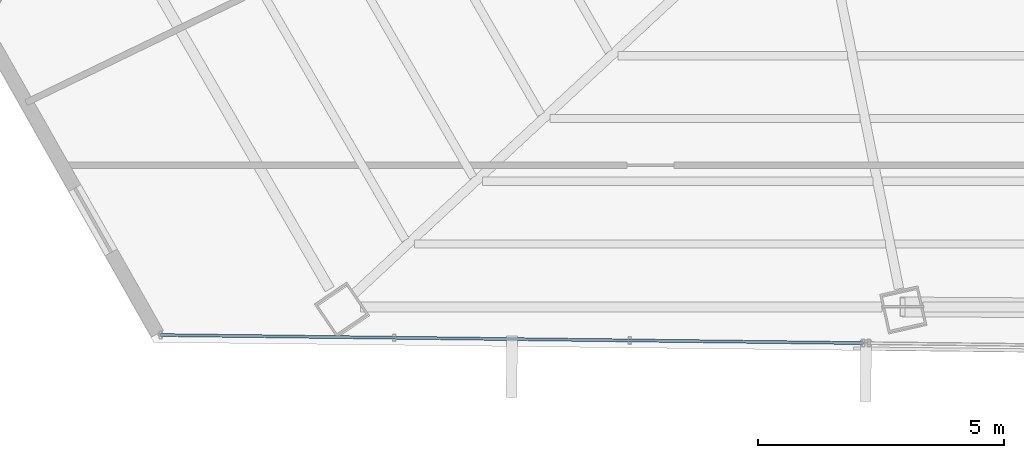
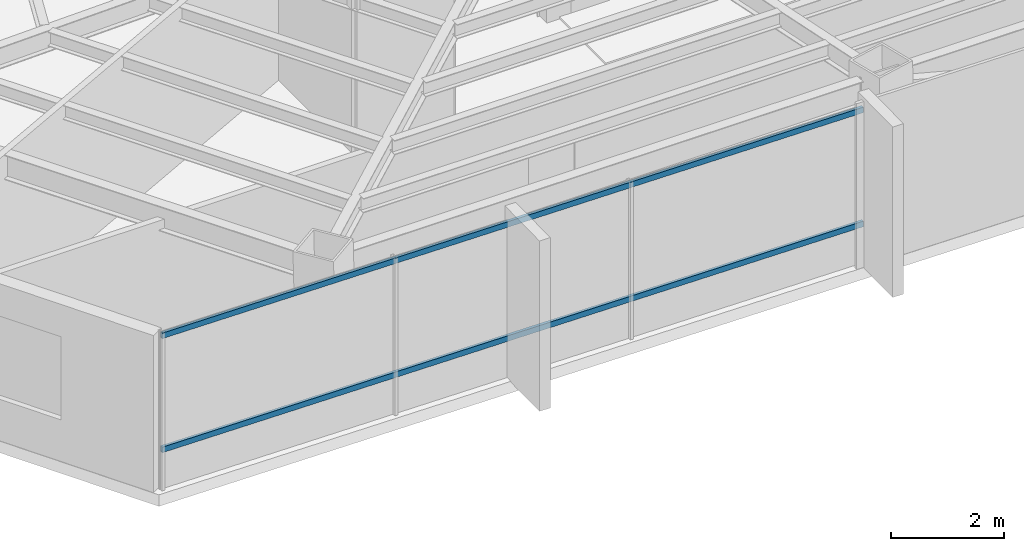
# One storey, part 4 of 41: 2 members, 1 element without a shape of its own.
"""IFC4 building model written with IfcOpenShell, lengths in metres."""

from ifc_helpers import new_model, si_unit, direction, frame, origin, origin_2d, place, context, subcontext, project, spatial, hollow_rectangle, extrude, source, transform, mapped, material, material_profile, profile_set, type_object, type_shapes, element, aggregate, save


model = new_model("IFC4")

# Units and contexts
model_context = context("Model", 3, precision=1e-05, world=origin(), true_north=direction((0.0, 1.0)))
body_context = subcontext(model_context, "Body", "Model", "MODEL_VIEW")
ifc_project = project(units=[si_unit("LENGTHUNIT", "METRE"), si_unit("AREAUNIT", "SQUARE_METRE"), si_unit("VOLUMEUNIT", "CUBIC_METRE"), si_unit("PLANEANGLEUNIT", "RADIAN"), si_unit("MASSUNIT", "GRAM", prefix="KILO")], contexts=[model_context])

# Site, building, storey
site_placement = place(None, origin())
site = spatial("IfcSite", under=ifc_project, at=site_placement, CompositionType="ELEMENT")
building_placement = place(site_placement, origin())
building = spatial("IfcBuilding", under=site, at=building_placement, Name="Caelisora Broadcast Tower", CompositionType="ELEMENT")
storey_placement = place(building_placement, frame((0.0, 0.0, 209.60009765625)))
storey = spatial("IfcBuildingStorey", under=building, at=storey_placement, Name="L55", CompositionType="ELEMENT", Elevation=209.60009765625)

# Curtain wall, members
ifc_material_1 = material(Name="Unitised Aluminium and Low-E Glass Curtain Wall", Category="glass")
curtain_wall_type = type_object("IfcCurtainWallType", Name="CW-Z4", PredefinedType="NOTDEFINED", material=ifc_material_1)
curtain_wall_placement = place(storey_placement, origin())
curtain_wall = element("IfcCurtainWall", 1, at=curtain_wall_placement, inside=storey, type_object=curtain_wall_type, Name="L55 curtain wall CW-Z4", PredefinedType="NOTDEFINED")
ifc_material_2 = material(Name="Aluminium 6063-T6 Anodised Terracotta Bronze", Category="aluminium")
ifc_material_profile = material_profile(ifc_material_2, hollow_rectangle(XDim=0.06005859375, YDim=0.1201171875, WallThickness=0.0029296875, at=origin_2d()), Name="Aluminium 6063-T6 Anodised Terracotta Bronze")
ifc_profile_set = profile_set([ifc_material_profile], Name="Aluminium 6063-T6 Anodised Terracotta Bronze")
member_type = type_object("IfcMemberType", Name="CWT-03", PredefinedType="USERDEFINED", material=ifc_profile_set)
shared_shape = source(origin(), body_context, "Body", "SweptSolid", [
    extrude(hollow_rectangle(XDim=0.06005859375, YDim=0.1201171875, WallThickness=0.0029296875, at=origin_2d()), origin(), (0.0, 0.0, 1.0), 14.266845703125),
])
type_shapes(member_type, [shared_shape])
member_1_placement = place(storey_placement, frame((31.492919921875, 7.742431640625, 0.849853515625), z_axis=(-0.999934662277, 0.011431149426, 0.0), x_axis=(-0.011431149426, -0.999934662277, 0.0)))
member_1 = element("IfcMember", 2, at=member_1_placement, type_object=member_type, Name="L55-CW-B07 transom #1", ObjectType="TRANSOM", PredefinedType="USERDEFINED", context=body_context, shape_type="MappedRepresentation", body=[
    mapped(shared_shape, transform((0.0, 0.0, 0.0), scale=1.0)),
])
member_2_placement = place(storey_placement, frame((31.492919921875, 7.742431640625, 3.31982421875), z_axis=(-0.999934662277, 0.011431149426, 0.0), x_axis=(-0.011431149426, -0.999934662277, 0.0)))
member_2 = element("IfcMember", 3, at=member_2_placement, type_object=member_type, Name="L55-CW-B07 transom #2", ObjectType="TRANSOM", PredefinedType="USERDEFINED", context=body_context, shape_type="MappedRepresentation", body=[
    mapped(shared_shape, transform((0.0, 0.0, 0.0), scale=1.0)),
])
aggregate(curtain_wall, [member_1, member_2])

save(model, "model.ifc")
